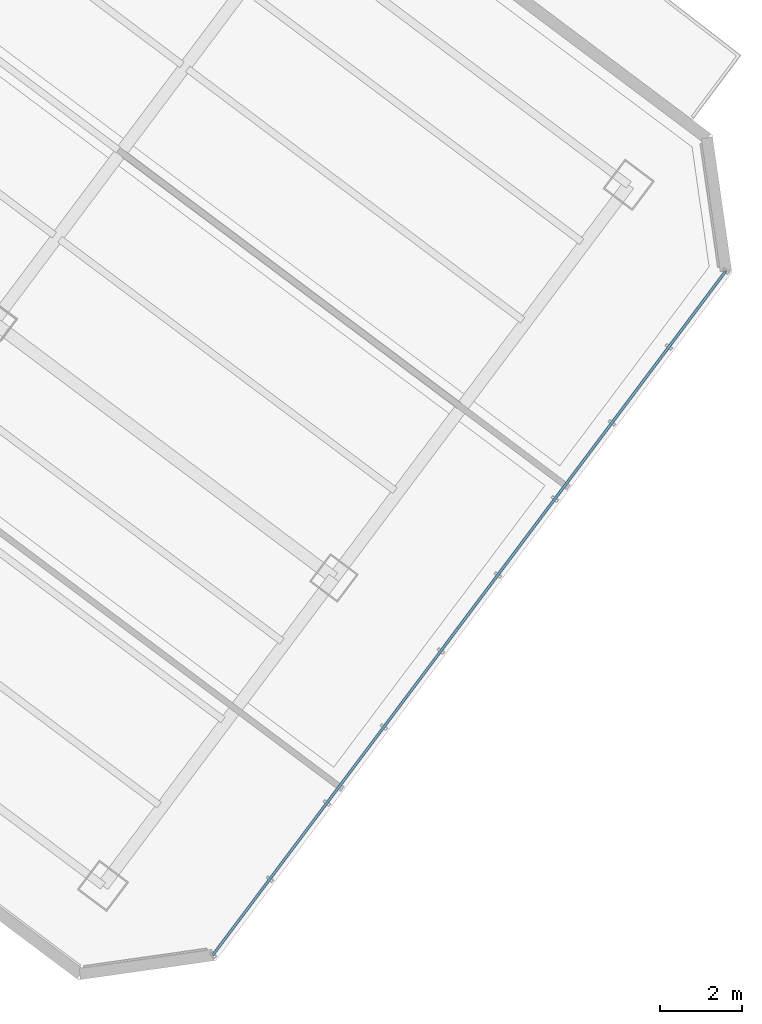
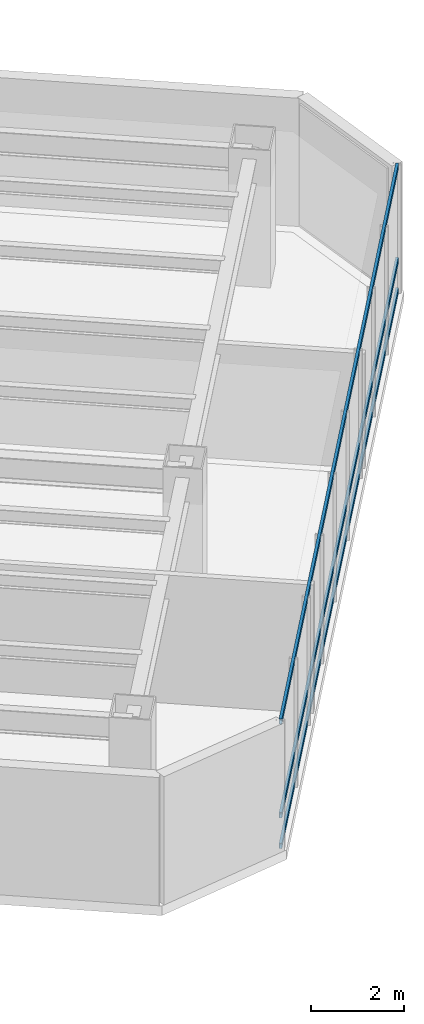
# One storey, part 9 of 30: 3 members, 1 element without a shape of its own.
"""IFC4 building model written with IfcOpenShell, lengths in metres."""

from ifc_helpers import new_model, si_unit, direction, frame, origin, origin_2d, place, context, subcontext, project, spatial, hollow_rectangle, extrude, material, layer, layer_set, material_profile, profile_set, type_object, element, aggregate, save


model = new_model("IFC4")

# Units and contexts
model_context = context("Model", 3, precision=1e-05, world=origin(), true_north=direction((0.0, 1.0)))
body_context = subcontext(model_context, "Body", "Model", "MODEL_VIEW")
ifc_project = project(units=[si_unit("LENGTHUNIT", "METRE"), si_unit("AREAUNIT", "SQUARE_METRE"), si_unit("VOLUMEUNIT", "CUBIC_METRE"), si_unit("PLANEANGLEUNIT", "RADIAN"), si_unit("MASSUNIT", "GRAM", prefix="KILO")], contexts=[model_context])

# Site, building, storey
site_placement = place(None, origin())
site = spatial("IfcSite", under=ifc_project, at=site_placement, CompositionType="ELEMENT")
building_placement = place(site_placement, origin())
building = spatial("IfcBuilding", under=site, at=building_placement, Name="Hatsunagi Terrace Concourse", CompositionType="ELEMENT")
storey_placement = place(building_placement, frame((0.0, 0.0, 101.25)))
storey = spatial("IfcBuildingStorey", under=building, at=storey_placement, Name="L26", CompositionType="ELEMENT", Elevation=101.25)

# Curtain wall, members
ifc_material_1 = material(Name="Anodised Aluminium Alloy 6063-T5", Category="aluminium")
ifc_layer = layer(ifc_material_1, 0.199951171875)
ifc_layer_set = layer_set([ifc_layer], Name="OfficeZone1_CW03")
curtain_wall_type = type_object("IfcCurtainWallType", Name="OfficeZone1_CW03", PredefinedType="NOTDEFINED", material=ifc_layer_set)
curtain_wall_placement = place(storey_placement, origin())
curtain_wall = element("IfcCurtainWall", 1, at=curtain_wall_placement, inside=storey, type_object=curtain_wall_type, Name="Unitised Curtain Wall CW-03 CW-L26-03", PredefinedType="NOTDEFINED")
ifc_material_2 = material(Name="Anodised Aluminium Alloy 6063-T5", Category="aluminium")
ifc_material_profile = material_profile(ifc_material_2, hollow_rectangle(XDim=0.06494140625, YDim=0.139892578125, WallThickness=0.00390625, at=origin_2d()), Name="ALU-TRN-140x65x4")
ifc_profile_set = profile_set([ifc_material_profile], Name="Anodised Aluminium Alloy 6063-T5")
member_type = type_object("IfcMemberType", Name="CurtainWallTransom_140x65", PredefinedType="USERDEFINED", material=ifc_profile_set)
member_1_placement = place(storey_placement, frame((69.093017578125, 19.657958984375, 0.050048828125), z_axis=(-0.599970072971, -0.800022444397, 0.0), x_axis=(0.800022444397, -0.599970072971, 0.0)))
member_1 = element("IfcMember", 2, at=member_1_placement, type_object=member_type, Name="Curtain Wall Transom TRN-02", ObjectType="TRANSOM", PredefinedType="USERDEFINED", context=body_context, shape_type="SweptSolid", body=[
    extrude(hollow_rectangle(XDim=0.06494140625, YDim=0.139892578125, WallThickness=0.00390625, at=origin_2d()), origin(), (0.0, 0.0, 1.0), 20.884521484375),
])
member_2_placement = place(storey_placement, frame((69.093017578125, 19.657958984375, 0.85009765625), z_axis=(-0.599970072971, -0.800022444397, 0.0), x_axis=(0.800022444397, -0.599970072971, 0.0)))
member_2 = element("IfcMember", 3, at=member_2_placement, type_object=member_type, Name="Curtain Wall Transom TRN-02", ObjectType="TRANSOM", PredefinedType="USERDEFINED", context=body_context, shape_type="SweptSolid", body=[
    extrude(hollow_rectangle(XDim=0.06494140625, YDim=0.139892578125, WallThickness=0.00390625, at=origin_2d()), origin(), (0.0, 0.0, 1.0), 20.884521484375),
])
member_3_placement = place(storey_placement, frame((69.093017578125, 19.657958984375, 3.300048828125), z_axis=(-0.599970072971, -0.800022444397, 0.0), x_axis=(0.800022444397, -0.599970072971, 0.0)))
member_3 = element("IfcMember", 4, at=member_3_placement, type_object=member_type, Name="Curtain Wall Transom TRN-02", ObjectType="TRANSOM", PredefinedType="USERDEFINED", context=body_context, shape_type="SweptSolid", body=[
    extrude(hollow_rectangle(XDim=0.06494140625, YDim=0.139892578125, WallThickness=0.00390625, at=origin_2d()), origin(), (0.0, 0.0, 1.0), 20.884521484375),
])
aggregate(curtain_wall, [member_1, member_2, member_3])

save(model, "model.ifc")
